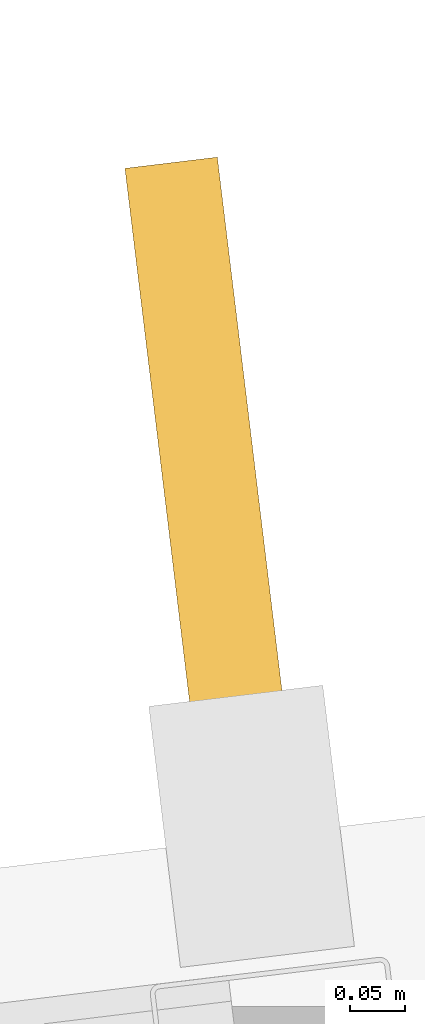
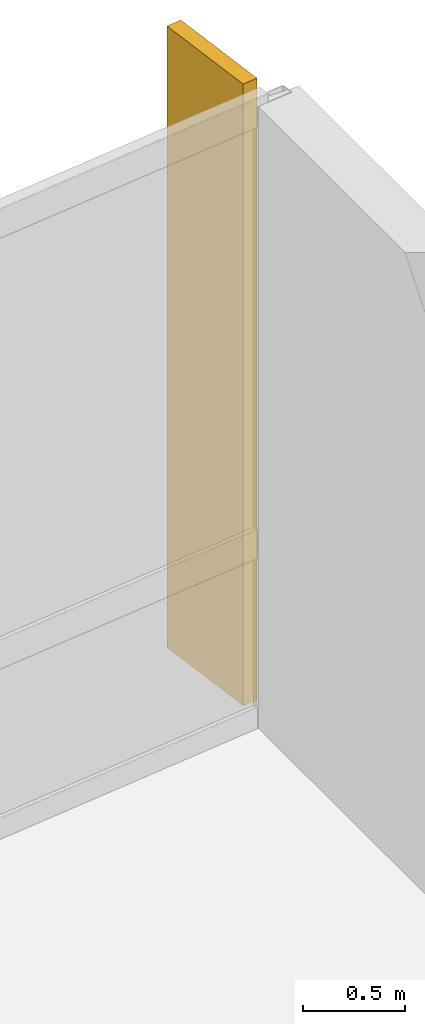
# One storey, part 17 of 17: 1 shading device.
"""IFC4 building model written with IfcOpenShell, lengths in metres."""

from ifc_helpers import new_model, si_unit, direction, frame, origin, origin_2d, place, context, subcontext, project, spatial, rectangle, extrude, material, layer, layer_set, type_object, element, save


model = new_model("IFC4")

# Units and contexts
model_context = context("Model", 3, precision=1e-05, world=origin(), true_north=direction((0.0, 1.0)))
body_context = subcontext(model_context, "Body", "Model", "MODEL_VIEW")
ifc_project = project(units=[si_unit("LENGTHUNIT", "METRE"), si_unit("AREAUNIT", "SQUARE_METRE"), si_unit("VOLUMEUNIT", "CUBIC_METRE"), si_unit("PLANEANGLEUNIT", "RADIAN"), si_unit("MASSUNIT", "GRAM", prefix="KILO")], contexts=[model_context])

# Site, building, storey
site_placement = place(None, origin())
site = spatial("IfcSite", under=ifc_project, at=site_placement, CompositionType="ELEMENT")
building_placement = place(site_placement, origin())
building = spatial("IfcBuilding", under=site, at=building_placement, Name="Varnakote Quay Hospital", CompositionType="ELEMENT")
storey_placement = place(building_placement, frame((0.0, 0.0, 131.0)))
storey = spatial("IfcBuildingStorey", under=building, at=storey_placement, Name="L32", CompositionType="ELEMENT", Elevation=131.0)

# Shading device
ifc_material = material(Name="Anodised aluminium 6063-T6 Bronze", Category="aluminium")
ifc_layer = layer(ifc_material, 0.0849609375)
ifc_layer_set = layer_set([ifc_layer], Name="Anodised aluminium 6063-T6 Bronze")
shading_device_type = type_object("IfcShadingDeviceType", Name="SHD-BRONZE-FIN-620", PredefinedType="USERDEFINED", material=ifc_layer_set)
shading_device_placement = place(storey_placement, frame((53.9462890625, 33.381591796875, 0.0), z_axis=(0.0, 0.0, 1.0), x_axis=(0.120310105847, -0.992736358975, 0.0)))
element("IfcShadingDevice", 1, at=shading_device_placement, inside=storey, type_object=shading_device_type, Name="L32 Anodised Bronze Vertical Shading FIN", ObjectType="FIN", PredefinedType="USERDEFINED", context=body_context, shape_type="SweptSolid", body=[
    extrude(rectangle(XDim=0.6201171875, YDim=0.0849609375, at=origin_2d()), origin(), (0.0, 0.0, 1.0), 3.7099609375),
])

save(model, "model.ifc")
